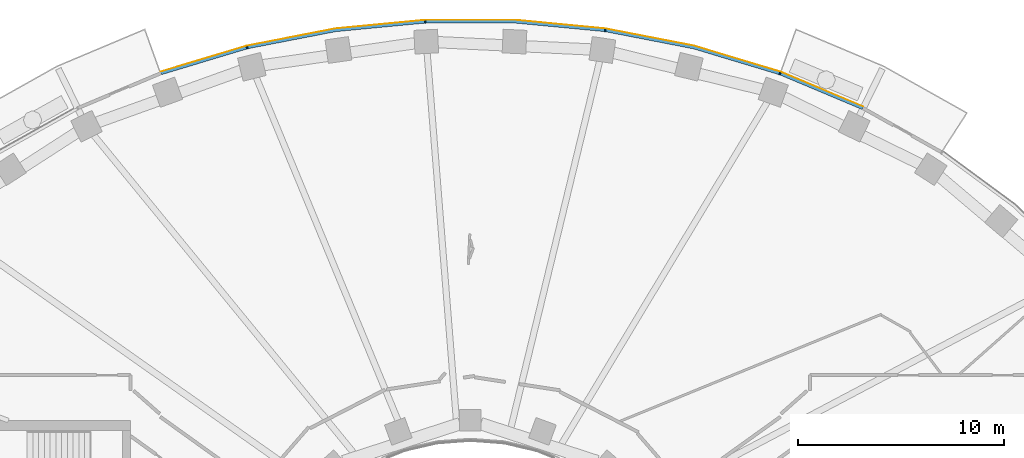
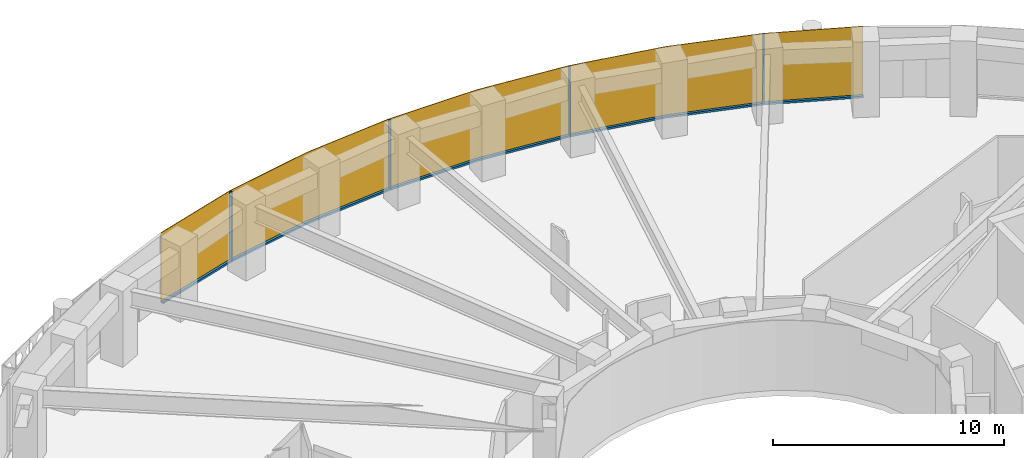
# One storey, part 12 of 15: 9 members, 1 curtain wall.
"""IFC4 building model written with IfcOpenShell, lengths in metres."""

from ifc_helpers import new_model, si_unit, direction, frame, origin, origin_2d, place, context, subcontext, project, spatial, polyline, rectangle, outline, extrude, material, layer, layer_set, material_profile, profile_set, type_object, element, aggregate, save


model = new_model("IFC4")

# Units and contexts
model_context = context("Model", 3, precision=1e-05, world=origin(), true_north=direction((0.0, 1.0)))
body_context = subcontext(model_context, "Body", "Model", "MODEL_VIEW")
ifc_project = project(units=[si_unit("LENGTHUNIT", "METRE"), si_unit("AREAUNIT", "SQUARE_METRE"), si_unit("VOLUMEUNIT", "CUBIC_METRE"), si_unit("PLANEANGLEUNIT", "RADIAN"), si_unit("MASSUNIT", "GRAM", prefix="KILO")], contexts=[model_context])

# Member
ifc_material_1 = material(Name="Aluminium 6063-T6 black anodised", Category="aluminium")
ifc_material_profile = material_profile(ifc_material_1, rectangle(XDim=0.1201171875, YDim=0.06005859375, at=origin_2d()), Name="120x60")
ifc_profile_set = profile_set([ifc_material_profile], Name="Aluminium 6063-T6 black anodised")
member_type_1 = type_object("IfcMemberType", Name="ENV-MULLION-A-120", PredefinedType="MULLION", material=ifc_profile_set)
site_placement = place(None, origin())
building_placement = place(site_placement, origin())
storey_placement = place(building_placement, frame((0.0, 0.0, 182.0)))
member_1_placement = place(storey_placement, frame((15.0341796875, 25.34375, 0.0), z_axis=(0.0, 0.0, 1.0), x_axis=(-0.338379256581, -0.941009818608, 0.0)))
member_1 = element("IfcMember", 1, at=member_1_placement, type_object=member_type_1, Name="Mullion A radial 09", PredefinedType="MULLION", context=body_context, shape_type="SweptSolid", body=[
    extrude(rectangle(XDim=0.1201171875, YDim=0.06005859375, at=origin_2d()), origin(), (0.0, 0.0, 1.0), 3.699951171875),
])

member_2_placement = place(storey_placement, frame((6.54638671875, 27.440185546875, 0.0), z_axis=(0.0, 0.0, 1.0), x_axis=(-0.143082012705, -0.989710835366, 0.0)))
member_2 = element("IfcMember", 2, at=member_2_placement, type_object=member_type_1, Name="Mullion A radial 11", PredefinedType="MULLION", context=body_context, shape_type="SweptSolid", body=[
    extrude(rectangle(XDim=0.1201171875, YDim=0.06005859375, at=origin_2d()), origin(), (0.0, 0.0, 1.0), 3.699951171875),
])

member_3_placement = place(storey_placement, frame((-2.188720703125, 27.856201171875, 0.0), z_axis=(0.0, 0.0, 1.0), x_axis=(0.047557873581, -0.998868484166, 0.0)))
member_3 = element("IfcMember", 3, at=member_3_placement, type_object=member_type_1, Name="Mullion A radial 13", PredefinedType="MULLION", context=body_context, shape_type="SweptSolid", body=[
    extrude(rectangle(XDim=0.1201171875, YDim=0.06005859375, at=origin_2d()), origin(), (0.0, 0.0, 1.0), 3.699951171875),
])

member_4_placement = place(storey_placement, frame((-10.84326171875, 26.60498046875, 0.0), z_axis=(0.0, 0.0, 1.0), x_axis=(0.239799081534, -0.970822538106, 0.0)))
member_4 = element("IfcMember", 4, at=member_4_placement, type_object=member_type_1, Name="Mullion A radial 15", PredefinedType="MULLION", context=body_context, shape_type="SweptSolid", body=[
    extrude(rectangle(XDim=0.1201171875, YDim=0.06005859375, at=origin_2d()), origin(), (0.0, 0.0, 1.0), 3.699951171875),
])

ifc_material_2 = material(Name="Aluminium 6063-T6 black anodised", Category="aluminium")
member_type_2 = type_object("IfcMemberType", Name="ENV-TRANSOM-A", PredefinedType="USERDEFINED", material=ifc_material_2)
member_5_placement = place(storey_placement, origin())
member_5 = element("IfcMember", 5, at=member_5_placement, type_object=member_type_2, Name="Transom A radial 08-09", ObjectType="TRANSOM", PredefinedType="USERDEFINED", context=body_context, shape_type="SweptSolid", body=[
    extrude(outline(polyline([(19.07568359375, 23.709228515625), (15.080322265625, 25.389404296875), (15.03955078125, 25.276123046875), (19.02294921875, 23.601318359375), (19.07568359375, 23.709228515625)])), origin(), (0.0, 0.0, 1.0), 0.10009765625),
])

member_6_placement = place(storey_placement, origin())
member_6 = element("IfcMember", 6, at=member_6_placement, type_object=member_type_2, Name="Transom A radial 09-11", ObjectType="TRANSOM", PredefinedType="USERDEFINED", context=body_context, shape_type="SweptSolid", body=[
    extrude(outline(polyline([(15.027587890625, 25.408203125), (10.857666015625, 26.6630859375), (6.58251953125, 27.494140625), (6.5654296875, 27.375244140625), (10.828857421875, 26.54638671875), (14.987060546875, 25.295166015625), (15.027587890625, 25.408203125)])), origin(), (0.0, 0.0, 1.0), 0.10009765625),
])

member_7_placement = place(storey_placement, origin())
member_7 = element("IfcMember", 7, at=member_7_placement, type_object=member_type_2, Name="Transom A radial 11-13", ObjectType="TRANSOM", PredefinedType="USERDEFINED", context=body_context, shape_type="SweptSolid", body=[
    extrude(outline(polyline([(6.527099609375, 27.502197265625), (2.191650390625, 27.916015625), (-2.163818359375, 27.916015625), (-2.157958984375, 27.7958984375), (2.185791015625, 27.7958984375), (6.510009765625, 27.38330078125), (6.527099609375, 27.502197265625)])), origin(), (0.0, 0.0, 1.0), 0.10009765625),
])

member_8_placement = place(storey_placement, origin())
member_8 = element("IfcMember", 8, at=member_8_placement, type_object=member_type_2, Name="Transom A radial 13-15", ObjectType="TRANSOM", PredefinedType="USERDEFINED", context=body_context, shape_type="SweptSolid", body=[
    extrude(outline(polyline([(-2.219482421875, 27.913330078125), (-6.55517578125, 27.49951171875), (-10.830078125, 26.66845703125), (-10.80126953125, 26.552001953125), (-6.537841796875, 27.380615234375), (-2.2138671875, 27.793212890625), (-2.219482421875, 27.913330078125)])), origin(), (0.0, 0.0, 1.0), 0.10009765625),
])

member_9_placement = place(storey_placement, origin())
member_9 = element("IfcMember", 9, at=member_9_placement, type_object=member_type_2, Name="Transom A radial 15-16", ObjectType="TRANSOM", PredefinedType="USERDEFINED", context=body_context, shape_type="SweptSolid", body=[
    extrude(outline(polyline([(-10.884521484375, 26.655029296875), (-15.035400390625, 25.406005859375), (-14.99462890625, 25.292724609375), (-10.855712890625, 26.53857421875), (-10.884521484375, 26.655029296875)])), origin(), (0.0, 0.0, 1.0), 0.10009765625),
])

# Site, building, storey
site = spatial("IfcSite", under=ifc_project, at=site_placement, CompositionType="ELEMENT")
building = spatial("IfcBuilding", under=site, at=building_placement, Name="Noorbagh Ring Tower", CompositionType="ELEMENT")
storey = spatial("IfcBuildingStorey", under=building, at=storey_placement, Name="L42", CompositionType="ELEMENT", Elevation=182.0)

# Curtain wall
ifc_material_3 = material(Name="Glass dark tinted laminated", Category="glass")
ifc_layer = layer(ifc_material_3, 0.031982421875)
ifc_layer_set = layer_set([ifc_layer], Name="Glass dark tinted laminated")
curtain_wall_type = type_object("IfcCurtainWallType", Name="ENV-CW-A", PredefinedType="NOTDEFINED", material=ifc_layer_set)
curtain_wall_placement = place(storey_placement, origin())
curtain_wall = element("IfcCurtainWall", 10, at=curtain_wall_placement, inside=storey, type_object=curtain_wall_type, Name="Curtain wall A R08", PredefinedType="NOTDEFINED", context=body_context, shape_type="SweptSolid", body=[
    extrude(outline(polyline([(19.08984375, 23.738037109375), (15.065185546875, 25.430419921875), (10.865234375, 26.6943359375), (6.559814453125, 27.53125), (2.193115234375, 27.947998046875), (-2.193115234375, 27.947998046875), (-6.559814453125, 27.53125), (-10.865234375, 26.6943359375), (-15.046142578125, 25.43603515625), (-15.035400390625, 25.406005859375), (-10.857666015625, 26.6630859375), (-6.55517578125, 27.49951171875), (-2.191650390625, 27.916015625), (2.191650390625, 27.916015625), (6.55517578125, 27.49951171875), (10.857666015625, 26.6630859375), (15.054443359375, 25.400146484375), (19.07568359375, 23.709228515625), (19.08984375, 23.738037109375)])), origin(), (0.0, 0.0, 1.0), 3.699951171875),
])

aggregate(curtain_wall, [member_1, member_2, member_3, member_4, member_5, member_6, member_7, member_8, member_9])

save(model, "model.ifc")
